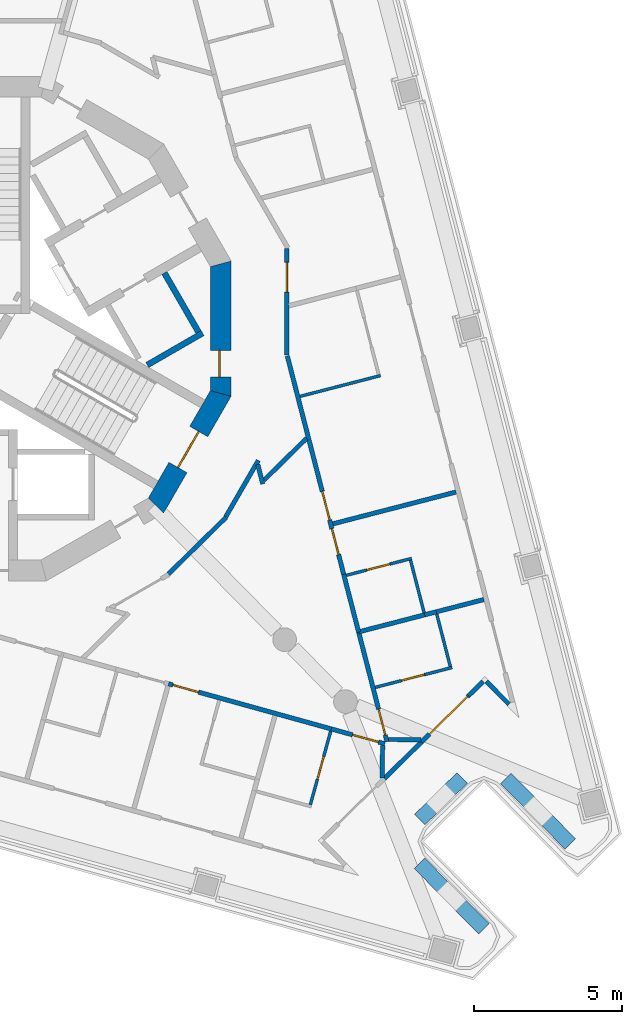
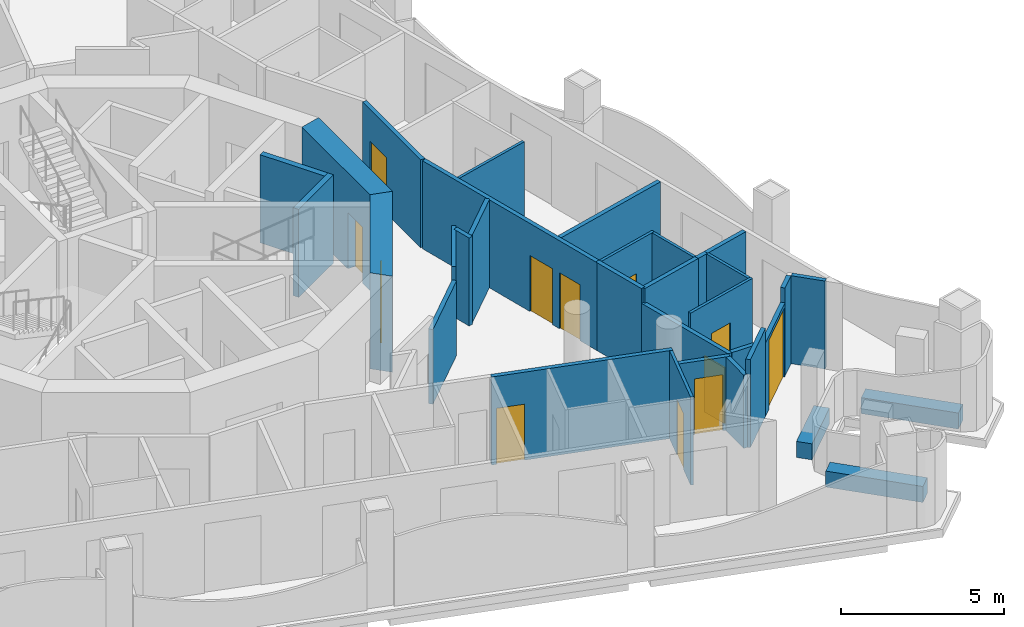
# One storey, part 6 of 14: 33 walls, 12 doors, 12 openings.
"""IFC4 building model written with IfcOpenShell, lengths in metres."""

from ifc_helpers import new_model, si_unit, direction, frame, frame_2d, origin, place, context, subcontext, project, spatial, polyline, rectangle, outline, extrude, material, layer, layer_set, type_object, element, fill, save


model = new_model("IFC4")

# Units and contexts
model_context = context("Model", 3, precision=1e-05, world=origin(), true_north=direction((0.0, 1.0)))
body_context = subcontext(model_context, "Body", "Model", "MODEL_VIEW")
ifc_project = project(units=[si_unit("LENGTHUNIT", "METRE"), si_unit("AREAUNIT", "SQUARE_METRE"), si_unit("VOLUMEUNIT", "CUBIC_METRE"), si_unit("PLANEANGLEUNIT", "RADIAN"), si_unit("MASSUNIT", "GRAM", prefix="KILO")], contexts=[model_context])

# Site, building, storey
site_placement = place(None, origin())
site = spatial("IfcSite", under=ifc_project, at=site_placement, CompositionType="ELEMENT")
building_placement = place(site_placement, origin())
building = spatial("IfcBuilding", under=site, at=building_placement, Name="Trine Commons Tower", CompositionType="ELEMENT")
storey_placement = place(building_placement, frame((0.0, 0.0, 252.89990234375)))
storey = spatial("IfcBuildingStorey", under=building, at=storey_placement, Name="L66", CompositionType="ELEMENT", Elevation=252.89990234375)

# Walls
ifc_material_1 = material(Name="Aluminium-framed insulated wall panel", Category="aluminium")
ifc_layer_1 = layer(ifc_material_1, 0.14990234375)
ifc_layer_set_1 = layer_set([ifc_layer_1], Name="Aluminium-framed insulated wall panel")
wall_type_1 = type_object("IfcWallType", Name="Glazed frame wall 150, EI 60", PredefinedType="SOLIDWALL", material=ifc_layer_set_1)
wall_1_placement = place(storey_placement, frame((97.966796875, 49.731201171875, 0.0), z_axis=(0.0, 0.0, 1.0), x_axis=(-0.700999978355, 0.71316129336, 0.0)))
element("IfcWall", 1, at=wall_1_placement, inside=storey, type_object=wall_type_1, Name="Glazed frame wall R6", PredefinedType="SOLIDWALL", context=body_context, shape_type="SweptSolid", body=[
    extrude(outline(polyline([(0.1494140625, 0.074951171875), (0.1494140625, -0.074951171875), (1.235107421875, -0.074951171875), (1.235107421875, 0.074951171875), (0.1494140625, 0.074951171875)])), origin(), (0.0, 0.0, 1.0), 3.300048828125),
])
wall_2_placement = place(storey_placement, frame((97.073486328125, 50.690185546875, 0.0), z_axis=(0.0, 0.0, 1.0), x_axis=(-0.713183853176, -0.700977026421, 0.0)))
element("IfcWall", 2, at=wall_2_placement, inside=storey, type_object=wall_type_1, Name="Glazed frame wall P2.1", PredefinedType="SOLIDWALL", context=body_context, shape_type="SweptSolid", body=[
    extrude(outline(polyline([(0.110107421875, -0.074951171875), (0.800048828125, -0.074951171875), (0.800048828125, 0.074951171875), (0.110107421875, 0.074951171875), (0.110107421875, -0.074951171875)])), origin(), (0.0, 0.0, 1.0), 3.300048828125),
])

# Wall, opening, door
wall_3_placement = place(storey_placement, frame((96.5029296875, 50.12939453125, 0.0), z_axis=(0.0, 0.0, 1.0), x_axis=(-0.713289197044, -0.70086983198, 0.0)))
wall_3 = element("IfcWall", 3, at=wall_3_placement, inside=storey, type_object=wall_type_1, Name="Glazed frame wall P2.2", PredefinedType="SOLIDWALL", context=body_context, shape_type="SweptSolid", body=[
    extrude(outline(polyline([(0.0, -0.074951171875), (2.221435546875, -0.074951171875), (2.221435546875, 0.074951171875), (0.0, 0.074951171875), (0.0, -0.074951171875)])), origin(), (0.0, 0.0, 1.0), 2.75),
])
opening_1_placement = place(wall_3_placement, frame((0.050048828125, 0.0, 0.0)))
opening_1 = element("IfcOpeningElement", 4, at=opening_1_placement, cuts=wall_3, Name="Opening BD-7P2-01", PredefinedType="OPENING", context=body_context, shape_type="SweptSolid", body=[
    extrude(rectangle(XDim=1.800048828125, YDim=2.60009765625, at=frame_2d((0.89990234375, 1.300048828125))), frame((0.0, 0.0849609375, 0.0), z_axis=(0.0, -1.0, 0.0), x_axis=(1.0, 0.0, 0.0)), (0.0, 0.0, 1.0), 0.169921875),
])
ifc_material_2 = material(Name="Anodised aluminium frame with double glazing", Category="aluminium")
door_type_1 = type_object("IfcDoorType", Name="Sliding loggia door 1800x2600", OperationType="SLIDING_TO_LEFT", PredefinedType="DOOR", material=ifc_material_2)
door_1_placement = place(opening_1_placement, origin())
door_1 = element("IfcDoor", 5, at=door_1_placement, inside=storey, type_object=door_type_1, Name="Loggia door P2 1", OperationType="SLIDING_TO_LEFT", OverallHeight=2.60009765625, OverallWidth=1.800048828125, PredefinedType="DOOR", context=body_context, shape_type="SweptSolid", body=[
    extrude(rectangle(XDim=1.800048828125, YDim=2.60009765625, at=frame_2d((0.89990234375, 1.300048828125))), frame((0.0, 0.02490234375, 0.0), z_axis=(0.0, -1.0, 0.0), x_axis=(1.0, 0.0, 0.0)), (0.0, 0.0, 1.0), 0.050048828125),
])
fill(opening_1, door_1)

# Walls
wall_4_placement = place(storey_placement, frame((94.91845703125, 48.572509765625, 0.0), z_axis=(0.0, 0.0, 1.0), x_axis=(-0.713193839807, -0.700966865737, 0.0)))
element("IfcWall", 6, at=wall_4_placement, inside=storey, type_object=wall_type_1, Name="Glazed frame wall P2.3", PredefinedType="SOLIDWALL", context=body_context, shape_type="SweptSolid", body=[
    extrude(outline(polyline([(0.0, -0.074951171875), (1.757080078125, -0.074951171875), (1.757080078125, 0.074951171875), (0.0, 0.074951171875), (0.0, -0.074951171875)])), origin(), (0.0, 0.0, 1.0), 3.300048828125),
])
ifc_material_3 = material(Name="Planter trough, precast concrete C40/50", Category="concrete")
ifc_layer_2 = layer(ifc_material_3, 0.5)
ifc_layer_set_2 = layer_set([ifc_layer_2], Name="Planter trough, precast concrete C40/50")
wall_type_2 = type_object("IfcWallType", Name="Planter trough 500x600", PredefinedType="PARAPET", material=ifc_layer_set_2)
wall_5_placement = place(storey_placement, frame((99.927734375, 45.1318359375, 0.0), z_axis=(0.0, 0.0, 1.0), x_axis=(-0.700897681372, 0.713261831481, 0.0)))
element("IfcWall", 7, at=wall_5_placement, inside=storey, type_object=wall_type_2, Name="Planter 7", PredefinedType="PARAPET", context=body_context, shape_type="SweptSolid", body=[
    extrude(rectangle(XDim=3.10009765625, YDim=0.5, at=frame_2d((1.550048828125, 0.0))), origin(), (0.0, 0.0, 1.0), 0.60009765625),
])
wall_6_placement = place(storey_placement, frame((96.2841796875, 47.355712890625, 0.0), z_axis=(0.0, 0.0, 1.0), x_axis=(-0.713305380591, -0.700853361282, 0.0)))
element("IfcWall", 8, at=wall_6_placement, inside=storey, type_object=wall_type_2, Name="Planter 8", PredefinedType="PARAPET", context=body_context, shape_type="SweptSolid", body=[
    extrude(rectangle(XDim=1.999755859375, YDim=0.5, at=frame_2d((1.0, 0.0))), origin(), (0.0, 0.0, 1.0), 0.60009765625),
])
wall_7_placement = place(storey_placement, frame((94.844970703125, 44.4833984375, 0.0), z_axis=(0.0, 0.0, 1.0), x_axis=(0.700857613291, -0.713301202784, 0.0)))
element("IfcWall", 9, at=wall_7_placement, inside=storey, type_object=wall_type_2, Name="Planter 9", PredefinedType="PARAPET", context=body_context, shape_type="SweptSolid", body=[
    extrude(rectangle(XDim=3.099853515625, YDim=0.5, at=frame_2d((1.5498046875, 0.0))), origin(), (0.0, 0.0, 1.0), 0.60009765625),
])

# Wall, opening, door
ifc_material_4 = material(Name="Concrete C50/60", Category="concrete")
ifc_layer_3 = layer(ifc_material_4, 0.699951171875)
ifc_layer_set_3 = layer_set([ifc_layer_3], Name="Concrete C50/60")
wall_type_3 = type_object("IfcWallType", Name="RC shear wall 700 mm, C50/60", PredefinedType="SHEAR", material=ifc_layer_set_3)
wall_8_placement = place(storey_placement, frame((88.150146484375, 60.222412109375, 0.0), z_axis=(0.0, 0.0, 1.0), x_axis=(0.0, 1.0, 0.0)))
wall_8 = element("IfcWall", 10, at=wall_8_placement, inside=storey, type_object=wall_type_3, Name="Core wall CWG-01 L66", PredefinedType="SHEAR", context=body_context, shape_type="SweptSolid", body=[
    extrude(outline(polyline([(0.0, -0.35009765625), (4.55517578125, -0.35009765625), (4.36767578125, 0.35009765625), (0.1875, 0.35009765625), (0.0, -0.35009765625)])), origin(), (0.0, 0.0, 1.0), 3.60009765625),
])
opening_2_placement = place(wall_8_placement, frame((0.6416015625, 0.0, 0.0)))
opening_2 = element("IfcOpeningElement", 11, at=opening_2_placement, cuts=wall_8, Name="Opening K16.17", PredefinedType="OPENING", context=body_context, shape_type="SweptSolid", body=[
    extrude(rectangle(XDim=0.89990234375, YDim=2.10009765625, at=frame_2d((0.449951171875, 1.050048828125))), frame((0.0, 0.35986328125, 0.0), z_axis=(0.0, -1.0, 0.0), x_axis=(1.0, 0.0, 0.0)), (0.0, 0.0, 1.0), 0.719970703125),
])
ifc_material_5 = material(Name="Steel door leaf, fire-rated", Category="steel")
door_type_2 = type_object("IfcDoorType", Name="Core room door, single leaf 900 x 2100, FD30S", OperationType="SINGLE_SWING_LEFT", PredefinedType="DOOR", material=ifc_material_5)
door_2_placement = place(opening_2_placement, origin())
door_2 = element("IfcDoor", 12, at=door_2_placement, inside=storey, type_object=door_type_2, Name="Door to Accessible WC L66", OperationType="SINGLE_SWING_LEFT", OverallHeight=2.10009765625, OverallWidth=0.89990234375, PredefinedType="DOOR", context=body_context, shape_type="SweptSolid", body=[
    extrude(rectangle(XDim=0.89990234375, YDim=2.10009765625, at=frame_2d((0.449951171875, 1.050048828125))), frame((0.0, 0.0751953125, 0.0), z_axis=(0.0, -1.0, 0.0), x_axis=(1.0, 0.0, 0.0)), (0.0, 0.0, 1.0), 0.050048828125),
])
fill(opening_2, door_2)

wall_9_placement = place(storey_placement, frame((85.91943359375, 56.452392578125, 0.0), z_axis=(0.0, 0.0, 1.0), x_axis=(0.499983800959, 0.866034756103, 0.0)))
wall_9 = element("IfcWall", 13, at=wall_9_placement, inside=storey, type_object=wall_type_3, Name="Core wall CWG-12 L66", PredefinedType="SHEAR", context=body_context, shape_type="SweptSolid", body=[
    extrude(outline(polyline([(0.0, -0.35009765625), (4.55517578125, -0.35009765625), (4.36767578125, 0.35009765625), (0.1875, 0.35009765625), (0.0, -0.35009765625)])), origin(), (0.0, 0.0, 1.0), 3.60009765625),
])
opening_3_placement = place(wall_9_placement, frame((1.577392578125, 0.0, 0.0)))
opening_3 = element("IfcOpeningElement", 14, at=opening_3_placement, cuts=wall_9, Name="Opening K16.03", PredefinedType="OPENING", context=body_context, shape_type="SweptSolid", body=[
    extrude(rectangle(XDim=1.39990234375, YDim=2.10009765625, at=frame_2d((0.699951171875, 1.050048828125))), frame((0.0, 0.35986328125, 0.0), z_axis=(0.0, -1.0, 0.0), x_axis=(1.0, 0.0, 0.0)), (0.0, 0.0, 1.0), 0.719970703125),
])
ifc_material_6 = material(Name="Steel door leaves, fire-rated", Category="steel")
door_type_3 = type_object("IfcDoorType", Name="Stair door, double leaf 1400 x 2100, FD90", OperationType="DOUBLE_DOOR_SINGLE_SWING", PredefinedType="DOOR", material=ifc_material_6)
door_3_placement = place(opening_3_placement, origin())
door_3 = element("IfcDoor", 15, at=door_3_placement, inside=storey, type_object=door_type_3, Name="Stair door to Exit stair ST3C L66", OperationType="DOUBLE_DOOR_SINGLE_SWING", OverallHeight=2.10009765625, OverallWidth=1.39990234375, PredefinedType="DOOR", context=body_context, shape_type="SweptSolid", body=[
    extrude(rectangle(XDim=1.39990234375, YDim=2.10009765625, at=frame_2d((0.699951171875, 1.050048828125))), frame((0.0, 0.02490234375, 0.0), z_axis=(0.0, -1.0, 0.0), x_axis=(1.0, 0.0, 0.0)), (0.0, 0.0, 1.0), 0.050048828125),
])
fill(opening_3, door_3)

# Walls
ifc_material_7 = material(Name="Fire-rated gypsum shaft wall system")
ifc_layer_4 = layer(ifc_material_7, 0.199951171875)
ifc_layer_set_4 = layer_set([ifc_layer_4], Name="Fire-rated gypsum shaft wall system")
wall_type_4 = type_object("IfcWallType", Name="Shaft wall 200 mm, EI 120", PredefinedType="PARTITIONING", material=ifc_layer_set_4)
wall_10_placement = place(storey_placement, frame((85.675048828125, 61.27392578125, 0.0), z_axis=(0.0, 0.0, 1.0), x_axis=(0.866102336459, 0.499866725018, 0.0)))
element("IfcWall", 16, at=wall_10_placement, inside=storey, type_object=wall_type_4, Name="Shaft wall L66", PredefinedType="PARTITIONING", context=body_context, shape_type="SweptSolid", body=[
    extrude(rectangle(XDim=2.1484375, YDim=0.199951171875, at=frame_2d((1.07421875, 0.0))), origin(), (0.0, 0.0, 1.0), 3.300048828125),
])
wall_11_placement = place(storey_placement, frame((86.2490234375, 64.3759765625, 0.0), z_axis=(0.0, 0.0, 1.0), x_axis=(0.500136062276, -0.86594683394, 0.0)))
element("IfcWall", 17, at=wall_11_placement, inside=storey, type_object=wall_type_4, Name="Shaft wall L66", PredefinedType="PARTITIONING", context=body_context, shape_type="SweptSolid", body=[
    extrude(rectangle(XDim=2.299072265625, YDim=0.199951171875, at=frame_2d((1.1494140625, 0.0))), origin(), (0.0, 0.0, 1.0), 3.300048828125),
])
ifc_material_8 = material(Name="Gypsum plasterboard on steel stud", Category="steel")
ifc_layer_5 = layer(ifc_material_8, 0.14990234375)
ifc_layer_set_5 = layer_set([ifc_layer_5], Name="Gypsum plasterboard on steel stud")
wall_type_5 = type_object("IfcWallType", Name="Unit and corridor wall 150 mm, EI 60", PredefinedType="PARTITIONING", material=ifc_layer_set_5)
wall_12_placement = place(storey_placement, frame((86.384521484375, 54.2275390625, 0.0), z_axis=(0.0, 0.0, 1.0), x_axis=(0.713113779806, 0.701048312922, 0.0)))
element("IfcWall", 18, at=wall_12_placement, inside=storey, type_object=wall_type_5, Name="Partition 070", PredefinedType="PARTITIONING", context=body_context, shape_type="SweptSolid", body=[
    extrude(rectangle(XDim=2.731689453125, YDim=0.14990234375, at=frame_2d((1.36572265625, 0.0))), origin(), (0.0, 0.0, 1.0), 2.800048828125),
])

# Wall, opening, door
wall_13_placement = place(storey_placement, frame((86.39111328125, 50.529052734375, 0.0), z_axis=(0.0, 0.0, 1.0), x_axis=(0.963638337946, -0.267209943005, 0.0)))
wall_13 = element("IfcWall", 19, at=wall_13_placement, inside=storey, type_object=wall_type_5, Name="Partition 071", PredefinedType="PARTITIONING", context=body_context, shape_type="SweptSolid", body=[
    extrude(rectangle(XDim=5.74609375, YDim=0.14990234375, at=frame_2d((2.873046875, 0.0))), origin(), (0.0, 0.0, 1.0), 3.300048828125),
])
opening_4_placement = place(wall_13_placement, frame((0.14990234375, 0.0, 0.0)))
opening_4 = element("IfcOpeningElement", 20, at=opening_4_placement, cuts=wall_13, Name="Opening D-7B17", PredefinedType="OPENING", context=body_context, shape_type="SweptSolid", body=[
    extrude(rectangle(XDim=0.89990234375, YDim=2.10009765625, at=frame_2d((0.449951171875, 1.050048828125))), frame((0.0, 0.0849609375, 0.0), z_axis=(0.0, -1.0, 0.0), x_axis=(1.0, 0.0, 0.0)), (0.0, 0.0, 1.0), 0.169921875),
])
ifc_material_9 = material(Name="Timber fire door set", Category="wood")
door_type_4 = type_object("IfcDoorType", Name="Bedroom door 900 x 2100, FD30S", OperationType="NOTDEFINED", PredefinedType="DOOR", material=ifc_material_9)
door_4_placement = place(opening_4_placement, frame((0.89990234375, 0.0, 0.0), z_axis=(0.0, 0.0, 1.0), x_axis=(-1.0, 0.0, 0.0)))
door_4 = element("IfcDoor", 21, at=door_4_placement, inside=storey, type_object=door_type_4, Name="Door D-7B17", OperationType="SINGLE_SWING_RIGHT", OverallHeight=2.10009765625, OverallWidth=0.89990234375, PredefinedType="DOOR", context=body_context, shape_type="SweptSolid", body=[
    extrude(rectangle(XDim=0.89990234375, YDim=2.10009765625, at=frame_2d((0.449951171875, 1.050048828125))), frame((0.0, 0.02490234375, 0.0), z_axis=(0.0, -1.0, 0.0), x_axis=(1.0, 0.0, 0.0)), (0.0, 0.0, 1.0), 0.050048828125),
])
fill(opening_4, door_4)

# Walls
wall_14_placement = place(storey_placement, frame((88.31640625, 56.15478515625, 0.0), z_axis=(0.0, 0.0, 1.0), x_axis=(0.500129524705, 0.865950609745, 0.0)))
element("IfcWall", 22, at=wall_14_placement, inside=storey, type_object=wall_type_5, Name="Partition 080", PredefinedType="PARTITIONING", context=body_context, shape_type="SweptSolid", body=[
    extrude(rectangle(XDim=2.19775390625, YDim=0.14990234375, at=frame_2d((1.098876953125, 0.0))), origin(), (0.0, 0.0, 1.0), 3.300048828125),
])
wall_15_placement = place(storey_placement, frame((89.396728515625, 57.92041015625, 0.0), z_axis=(0.0, 0.0, 1.0), x_axis=(0.249398389606, -0.968400972357, 0.0)))
element("IfcWall", 23, at=wall_15_placement, inside=storey, type_object=wall_type_5, Name="Partition 087", PredefinedType="PARTITIONING", context=body_context, shape_type="SweptSolid", body=[
    extrude(rectangle(XDim=0.677490234375, YDim=0.14990234375, at=frame_2d((0.3388671875, 0.0))), origin(), (0.0, 0.0, 1.0), 3.300048828125),
])
wall_16_placement = place(storey_placement, frame((89.60546875, 57.3896484375, 0.0), z_axis=(0.0, 0.0, 1.0), x_axis=(0.713082264155, 0.701080369535, 0.0)))
element("IfcWall", 24, at=wall_16_placement, inside=storey, type_object=wall_type_5, Name="Partition 092", PredefinedType="PARTITIONING", context=body_context, shape_type="SweptSolid", body=[
    extrude(rectangle(XDim=2.013916015625, YDim=0.14990234375, at=frame_2d((1.0068359375, 0.0))), origin(), (0.0, 0.0, 1.0), 3.300048828125),
])

# Wall, opening, door
wall_17_placement = place(storey_placement, frame((90.375, 61.616943359375, 0.0), z_axis=(0.0, 0.0, 1.0), x_axis=(0.0, 1.0, 0.0)))
wall_17 = element("IfcWall", 25, at=wall_17_placement, inside=storey, type_object=wall_type_5, Name="Partition 093", PredefinedType="PARTITIONING", context=body_context, shape_type="SweptSolid", body=[
    extrude(rectangle(XDim=3.588134765625, YDim=0.14990234375, at=frame_2d((1.7939453125, 0.0))), origin(), (0.0, 0.0, 1.0), 3.300048828125),
])
opening_5_placement = place(wall_17_placement, frame((2.110595703125, 0.0, 0.0)))
opening_5 = element("IfcOpeningElement", 26, at=opening_5_placement, cuts=wall_17, Name="Opening D-7B12", PredefinedType="OPENING", context=body_context, shape_type="SweptSolid", body=[
    extrude(rectangle(XDim=1.0, YDim=2.10009765625, at=frame_2d((0.5, 1.050048828125))), frame((0.0, 0.0849609375, 0.0), z_axis=(0.0, -1.0, 0.0), x_axis=(1.0, 0.0, 0.0)), (0.0, 0.0, 1.0), 0.169921875),
])
ifc_material_10 = material(Name="Painted timber", Category="wood")
door_type_5 = type_object("IfcDoorType", Name="Amenity room door 1000 x 2100, NOT RATED", OperationType="NOTDEFINED", PredefinedType="DOOR", material=ifc_material_10)
door_5_placement = place(opening_5_placement, frame((1.0, 0.0, 0.0), z_axis=(0.0, 0.0, 1.0), x_axis=(-1.0, 0.0, 0.0)))
door_5 = element("IfcDoor", 27, at=door_5_placement, inside=storey, type_object=door_type_5, Name="Door D-7B12", OperationType="SINGLE_SWING_LEFT", OverallHeight=2.10009765625, OverallWidth=1.0, PredefinedType="DOOR", context=body_context, shape_type="SweptSolid", body=[
    extrude(rectangle(XDim=1.0, YDim=2.10009765625, at=frame_2d((0.5, 1.050048828125))), frame((0.0, 0.02490234375, 0.0), z_axis=(0.0, -1.0, 0.0), x_axis=(1.0, 0.0, 0.0)), (0.0, 0.0, 1.0), 0.050048828125),
])
fill(opening_5, door_5)

# Wall, openings, doors
wall_18_placement = place(storey_placement, frame((90.39208984375, 61.576904296875, 0.0), z_axis=(0.0, 0.0, 1.0), x_axis=(0.250037106066, -0.968236255048, 0.0)))
wall_18 = element("IfcWall", 28, at=wall_18_placement, inside=storey, type_object=wall_type_5, Name="Partition 095", PredefinedType="PARTITIONING", context=body_context, shape_type="SweptSolid", body=[
    extrude(rectangle(XDim=7.657958984375, YDim=0.14990234375, at=frame_2d((3.8291015625, 0.0))), origin(), (0.0, 0.0, 1.0), 3.300048828125),
])
opening_6_placement = place(wall_18_placement, frame((4.7119140625, 0.0, 0.0)))
opening_6 = element("IfcOpeningElement", 29, at=opening_6_placement, cuts=wall_18, Name="Opening D-7B13", PredefinedType="OPENING", context=body_context, shape_type="SweptSolid", body=[
    extrude(rectangle(XDim=1.0, YDim=2.10009765625, at=frame_2d((0.5, 1.050048828125))), frame((0.0, 0.0849609375, 0.0), z_axis=(0.0, -1.0, 0.0), x_axis=(1.0, 0.0, 0.0)), (0.0, 0.0, 1.0), 0.169921875),
])
opening_7_placement = place(wall_18_placement, frame((6.011962890625, 0.0, 0.0)))
opening_7 = element("IfcOpeningElement", 30, at=opening_7_placement, cuts=wall_18, Name="Opening D-7B14", PredefinedType="OPENING", context=body_context, shape_type="SweptSolid", body=[
    extrude(rectangle(XDim=0.89990234375, YDim=2.10009765625, at=frame_2d((0.449951171875, 1.050048828125))), frame((0.0, 0.0849609375, 0.0), z_axis=(0.0, -1.0, 0.0), x_axis=(1.0, 0.0, 0.0)), (0.0, 0.0, 1.0), 0.169921875),
])
door_type_6 = type_object("IfcDoorType", Name="Bedroom door 1000 x 2100, FD30S", OperationType="NOTDEFINED", PredefinedType="DOOR", material=ifc_material_9)
door_6_placement = place(opening_6_placement, origin())
door_6 = element("IfcDoor", 31, at=door_6_placement, inside=storey, type_object=door_type_6, Name="Door D-7B13", OperationType="SINGLE_SWING_RIGHT", OverallHeight=2.10009765625, OverallWidth=1.0, PredefinedType="DOOR", context=body_context, shape_type="SweptSolid", body=[
    extrude(rectangle(XDim=1.0, YDim=2.10009765625, at=frame_2d((0.5, 1.050048828125))), frame((0.0, 0.02490234375, 0.0), z_axis=(0.0, -1.0, 0.0), x_axis=(1.0, 0.0, 0.0)), (0.0, 0.0, 1.0), 0.050048828125),
])
fill(opening_6, door_6)
door_7_placement = place(opening_7_placement, origin())
door_7 = element("IfcDoor", 32, at=door_7_placement, inside=storey, type_object=door_type_4, Name="Door D-7B14", OperationType="SINGLE_SWING_RIGHT", OverallHeight=2.10009765625, OverallWidth=0.89990234375, PredefinedType="DOOR", context=body_context, shape_type="SweptSolid", body=[
    extrude(rectangle(XDim=0.89990234375, YDim=2.10009765625, at=frame_2d((0.449951171875, 1.050048828125))), frame((0.0, 0.02490234375, 0.0), z_axis=(0.0, -1.0, 0.0), x_axis=(1.0, 0.0, 0.0)), (0.0, 0.0, 1.0), 0.050048828125),
])
fill(opening_7, door_7)

# Wall
wall_19_placement = place(storey_placement, frame((91.9296875, 55.919921875, 0.0), z_axis=(0.0, 0.0, 1.0), x_axis=(0.968143339783, 0.250396632634, 0.0)))
element("IfcWall", 33, at=wall_19_placement, inside=storey, type_object=wall_type_5, Name="Partition 100", PredefinedType="PARTITIONING", context=body_context, shape_type="SweptSolid", body=[
    extrude(rectangle(XDim=4.28515625, YDim=0.14990234375, at=frame_2d((2.142578125, 0.0))), origin(), (0.0, 0.0, 1.0), 3.300048828125),
])

# Wall, opening, door
wall_20_placement = place(storey_placement, frame((91.8720703125, 49.009033203125, 0.0), z_axis=(0.0, 0.0, 1.0), x_axis=(0.963678404511, -0.26706540899, 0.0)))
wall_20 = element("IfcWall", 34, at=wall_20_placement, inside=storey, type_object=wall_type_5, Name="Partition 101", PredefinedType="PARTITIONING", context=body_context, shape_type="SweptSolid", body=[
    extrude(rectangle(XDim=1.872314453125, YDim=0.14990234375, at=frame_2d((0.93603515625, 0.0))), origin(), (0.0, 0.0, 1.0), 2.75),
])
opening_8_placement = place(wall_20_placement, frame((0.747314453125, 0.0, 0.0)))
opening_8 = element("IfcOpeningElement", 35, at=opening_8_placement, cuts=wall_20, Name="Opening D-7B16", PredefinedType="OPENING", context=body_context, shape_type="SweptSolid", body=[
    extrude(rectangle(XDim=0.89990234375, YDim=2.10009765625, at=frame_2d((0.449951171875, 1.050048828125))), frame((0.0, 0.0849609375, 0.0), z_axis=(0.0, -1.0, 0.0), x_axis=(1.0, 0.0, 0.0)), (0.0, 0.0, 1.0), 0.169921875),
])
door_8_placement = place(opening_8_placement, frame((0.89990234375, 0.0, 0.0), z_axis=(0.0, 0.0, 1.0), x_axis=(-1.0, 0.0, 0.0)))
door_8 = element("IfcDoor", 36, at=door_8_placement, inside=storey, type_object=door_type_4, Name="Door D-7B16", OperationType="SINGLE_SWING_LEFT", OverallHeight=2.10009765625, OverallWidth=0.89990234375, PredefinedType="DOOR", context=body_context, shape_type="SweptSolid", body=[
    extrude(rectangle(XDim=0.89990234375, YDim=2.10009765625, at=frame_2d((0.449951171875, 1.050048828125))), frame((0.0, 0.02490234375, 0.0), z_axis=(0.0, -1.0, 0.0), x_axis=(1.0, 0.0, 0.0)), (0.0, 0.0, 1.0), 0.050048828125),
])
fill(opening_8, door_8)

# Wall
wall_21_placement = place(storey_placement, frame((92.29248046875, 54.218505859375, 0.0), z_axis=(0.0, 0.0, 1.0), x_axis=(0.250620480833, -0.968085416989, 0.0)))
element("IfcWall", 37, at=wall_21_placement, inside=storey, type_object=wall_type_5, Name="Partition 102", PredefinedType="PARTITIONING", context=body_context, shape_type="SweptSolid", body=[
    extrude(rectangle(XDim=2.0087890625, YDim=0.14990234375, at=frame_2d((1.00439453125, 0.0))), origin(), (0.0, 0.0, 1.0), 3.300048828125),
])

# Wall, opening, door
wall_22_placement = place(storey_placement, frame((92.7939453125, 52.281982421875, 0.0), z_axis=(0.0, 0.0, 1.0), x_axis=(0.250312632004, -0.968165061474, 0.0)))
wall_22 = element("IfcWall", 38, at=wall_22_placement, inside=storey, type_object=wall_type_5, Name="Partition 106", PredefinedType="PARTITIONING", context=body_context, shape_type="SweptSolid", body=[
    extrude(rectangle(XDim=3.822265625, YDim=0.14990234375, at=frame_2d((1.9111328125, 0.0))), origin(), (0.0, 0.0, 1.0), 2.75),
])
opening_9_placement = place(wall_22_placement, frame((2.697265625, 0.0, 0.0)))
opening_9 = element("IfcOpeningElement", 39, at=opening_9_placement, cuts=wall_22, Name="Opening D-7B15", PredefinedType="OPENING", context=body_context, shape_type="SweptSolid", body=[
    extrude(rectangle(XDim=0.89990234375, YDim=2.10009765625, at=frame_2d((0.449951171875, 1.050048828125))), frame((0.0, 0.0849609375, 0.0), z_axis=(0.0, -1.0, 0.0), x_axis=(1.0, 0.0, 0.0)), (0.0, 0.0, 1.0), 0.169921875),
])
door_9_placement = place(opening_9_placement, origin())
door_9 = element("IfcDoor", 40, at=door_9_placement, inside=storey, type_object=door_type_4, Name="Door D-7B15", OperationType="SINGLE_SWING_RIGHT", OverallHeight=2.10009765625, OverallWidth=0.89990234375, PredefinedType="DOOR", context=body_context, shape_type="SweptSolid", body=[
    extrude(rectangle(XDim=0.89990234375, YDim=2.10009765625, at=frame_2d((0.449951171875, 1.050048828125))), frame((0.0, 0.02490234375, 0.0), z_axis=(0.0, -1.0, 0.0), x_axis=(1.0, 0.0, 0.0)), (0.0, 0.0, 1.0), 0.050048828125),
])
fill(opening_9, door_9)

# Walls
wall_23_placement = place(storey_placement, frame((92.794921875, 52.278076171875, 0.0), z_axis=(0.0, 0.0, 1.0), x_axis=(0.968123831928, 0.250472046449, 0.0)))
element("IfcWall", 41, at=wall_23_placement, inside=storey, type_object=wall_type_5, Name="Partition 107", PredefinedType="PARTITIONING", context=body_context, shape_type="SweptSolid", body=[
    extrude(rectangle(XDim=2.29931640625, YDim=0.14990234375, at=frame_2d((1.149658203125, 0.0))), origin(), (0.0, 0.0, 1.0), 3.300048828125),
])
for number, where, z_axis, x_axis, name in (
    (42, (93.589599609375, 47.35595703125, 0.0), (0.0, 0.0, 1.0), (0.012226742726, 0.999925250587, 0.0), "Partition 109"),
    (43, (93.806884765625, 48.653564453125, 0.0), (0.0, 0.0, 1.0), (0.999983294214, -0.005780250256, 0.0), "Partition 110"),
):
    element("IfcWall", number, at=place(storey_placement, frame(where, z_axis=z_axis, x_axis=x_axis)), inside=storey, type_object=wall_type_5, Name=name, PredefinedType="PARTITIONING", context=body_context, shape_type="SweptSolid", body=[
        extrude(rectangle(XDim=1.09814453125, YDim=0.14990234375, at=frame_2d((0.549072265625, 0.0))), origin(), (0.0, 0.0, 1.0), 2.75),
    ])
wall_24_placement = place(storey_placement, frame((95.02099609375, 52.85400390625, 0.0), z_axis=(0.0, 0.0, 1.0), x_axis=(0.968343173742, 0.249622711039, 0.0)))
element("IfcWall", 44, at=wall_24_placement, inside=storey, type_object=wall_type_5, Name="Partition 112", PredefinedType="PARTITIONING", context=body_context, shape_type="SweptSolid", body=[
    extrude(rectangle(XDim=0.405029296875, YDim=0.14990234375, at=frame_2d((0.20263671875, 0.0))), origin(), (0.0, 0.0, 1.0), 3.300048828125),
])
wall_25_placement = place(storey_placement, frame((95.405029296875, 52.952880859375, 0.0), z_axis=(0.0, 0.0, 1.0), x_axis=(0.968213134731, 0.250126619403, 0.0)))
element("IfcWall", 45, at=wall_25_placement, inside=storey, type_object=wall_type_5, Name="Partition 113", PredefinedType="PARTITIONING", context=body_context, shape_type="SweptSolid", body=[
    extrude(rectangle(XDim=1.663330078125, YDim=0.14990234375, at=frame_2d((0.83154296875, 0.0))), origin(), (0.0, 0.0, 1.0), 3.300048828125),
])
ifc_layer_6 = layer(ifc_material_8, 0.10009765625)
ifc_layer_set_6 = layer_set([ifc_layer_6], Name="Gypsum plasterboard on steel stud")
wall_type_6 = type_object("IfcWallType", Name="Unit partition 100 mm, no rating", PredefinedType="PARTITIONING", material=ifc_layer_set_6)
wall_26_placement = place(storey_placement, frame((90.819580078125, 60.21484375, 0.0), z_axis=(0.0, 0.0, 1.0), x_axis=(0.96814254182, 0.25039971789, 0.0)))
element("IfcWall", 46, at=wall_26_placement, inside=storey, type_object=wall_type_6, Name="Partition 096", PredefinedType="PARTITIONING", context=body_context, shape_type="SweptSolid", body=[
    extrude(rectangle(XDim=2.80224609375, YDim=0.10009765625, at=frame_2d((1.401123046875, 0.0))), origin(), (0.0, 0.0, 1.0), 3.300048828125),
])

# Wall, opening, door
wall_27_placement = place(storey_placement, frame((91.16845703125, 46.4541015625, 0.0), z_axis=(0.0, 0.0, 1.0), x_axis=(0.266973908606, 0.96370375745, 0.0)))
wall_27 = element("IfcWall", 47, at=wall_27_placement, inside=storey, type_object=wall_type_6, Name="Partition 098", PredefinedType="PARTITIONING", context=body_context, shape_type="SweptSolid", body=[
    extrude(rectangle(XDim=2.5751953125, YDim=0.10009765625, at=frame_2d((1.28759765625, 0.0))), origin(), (0.0, 0.0, 1.0), 3.300048828125),
])
opening_10_placement = place(wall_27_placement, frame((0.8876953125, 0.0, 0.0)))
opening_10 = element("IfcOpeningElement", 48, at=opening_10_placement, cuts=wall_27, Name="Opening D-7B35", PredefinedType="OPENING", context=body_context, shape_type="SweptSolid", body=[
    extrude(rectangle(XDim=0.800048828125, YDim=2.10009765625, at=frame_2d((0.39990234375, 1.050048828125))), frame((0.0, 0.06005859375, 0.0), z_axis=(0.0, -1.0, 0.0), x_axis=(1.0, 0.0, 0.0)), (0.0, 0.0, 1.0), 0.1201171875),
])
door_type_7 = type_object("IfcDoorType", Name="Internal door 800 x 2100, NOT RATED", OperationType="NOTDEFINED", PredefinedType="DOOR", material=ifc_material_10)
door_10_placement = place(opening_10_placement, frame((0.800048828125, 0.0, 0.0), z_axis=(0.0, 0.0, 1.0), x_axis=(-1.0, 0.0, 0.0)))
door_10 = element("IfcDoor", 49, at=door_10_placement, inside=storey, type_object=door_type_7, Name="Door D-7B35", OperationType="SINGLE_SWING_LEFT", OverallHeight=2.10009765625, OverallWidth=0.800048828125, PredefinedType="DOOR", context=body_context, shape_type="SweptSolid", body=[
    extrude(rectangle(XDim=0.800048828125, YDim=2.10009765625, at=frame_2d((0.39990234375, 1.050048828125))), frame((0.0, 0.02490234375, 0.0), z_axis=(0.0, -1.0, 0.0), x_axis=(1.0, 0.0, 0.0)), (0.0, 0.0, 1.0), 0.050048828125),
])
fill(opening_10, door_10)

wall_28_placement = place(storey_placement, frame((92.378662109375, 54.184814453125, 0.0), z_axis=(0.0, 0.0, 1.0), x_axis=(0.968154087165, 0.250355074856, 0.0)))
wall_28 = element("IfcWall", 50, at=wall_28_placement, inside=storey, type_object=wall_type_6, Name="Partition 103", PredefinedType="PARTITIONING", context=body_context, shape_type="SweptSolid", body=[
    extrude(rectangle(XDim=2.275146484375, YDim=0.10009765625, at=frame_2d((1.1376953125, 0.0))), origin(), (0.0, 0.0, 1.0), 3.300048828125),
])
opening_11_placement = place(wall_28_placement, frame((0.712646484375, 0.0, 0.0)))
opening_11 = element("IfcOpeningElement", 51, at=opening_11_placement, cuts=wall_28, Name="Opening D-7B33", PredefinedType="OPENING", context=body_context, shape_type="SweptSolid", body=[
    extrude(rectangle(XDim=0.800048828125, YDim=2.10009765625, at=frame_2d((0.39990234375, 1.050048828125))), frame((0.0, 0.06005859375, 0.0), z_axis=(0.0, -1.0, 0.0), x_axis=(1.0, 0.0, 0.0)), (0.0, 0.0, 1.0), 0.1201171875),
])
door_11_placement = place(opening_11_placement, origin())
door_11 = element("IfcDoor", 52, at=door_11_placement, inside=storey, type_object=door_type_7, Name="Door D-7B33", OperationType="SINGLE_SWING_LEFT", OverallHeight=2.10009765625, OverallWidth=0.800048828125, PredefinedType="DOOR", context=body_context, shape_type="SweptSolid", body=[
    extrude(rectangle(XDim=0.800048828125, YDim=2.10009765625, at=frame_2d((0.39990234375, 1.050048828125))), frame((0.0, 0.02490234375, 0.0), z_axis=(0.0, -1.0, 0.0), x_axis=(1.0, 0.0, 0.0)), (0.0, 0.0, 1.0), 0.050048828125),
])
fill(opening_11, door_11)

wall_29_placement = place(storey_placement, frame((93.355712890625, 50.40869140625, 0.0), z_axis=(0.0, 0.0, 1.0), x_axis=(0.968128980119, 0.250452146832, 0.0)))
wall_29 = element("IfcWall", 53, at=wall_29_placement, inside=storey, type_object=wall_type_6, Name="Partition 108", PredefinedType="PARTITIONING", context=body_context, shape_type="SweptSolid", body=[
    extrude(rectangle(XDim=2.6748046875, YDim=0.10009765625, at=frame_2d((1.33740234375, 0.0))), origin(), (0.0, 0.0, 1.0), 3.300048828125),
])
opening_12_placement = place(wall_29_placement, frame((0.91259765625, 0.0, 0.0)))
opening_12 = element("IfcOpeningElement", 54, at=opening_12_placement, cuts=wall_29, Name="Opening D-7B34", PredefinedType="OPENING", context=body_context, shape_type="SweptSolid", body=[
    extrude(rectangle(XDim=0.800048828125, YDim=2.10009765625, at=frame_2d((0.39990234375, 1.050048828125))), frame((0.0, 0.06005859375, 0.0), z_axis=(0.0, -1.0, 0.0), x_axis=(1.0, 0.0, 0.0)), (0.0, 0.0, 1.0), 0.1201171875),
])
door_12_placement = place(opening_12_placement, frame((0.800048828125, 0.0, 0.0), z_axis=(0.0, 0.0, 1.0), x_axis=(-1.0, 0.0, 0.0)))
door_12 = element("IfcDoor", 55, at=door_12_placement, inside=storey, type_object=door_type_7, Name="Door D-7B34", OperationType="SINGLE_SWING_RIGHT", OverallHeight=2.10009765625, OverallWidth=0.800048828125, PredefinedType="DOOR", context=body_context, shape_type="SweptSolid", body=[
    extrude(rectangle(XDim=0.800048828125, YDim=2.10009765625, at=frame_2d((0.39990234375, 1.050048828125))), frame((0.0, 0.02490234375, 0.0), z_axis=(0.0, -1.0, 0.0), x_axis=(1.0, 0.0, 0.0)), (0.0, 0.0, 1.0), 0.050048828125),
])
fill(opening_12, door_12)

# Walls
wall_30_placement = place(storey_placement, frame((94.54541015625, 54.693603515625, 0.0), z_axis=(0.0, 0.0, 1.0), x_axis=(0.250270413218, -0.968175975878, 0.0)))
element("IfcWall", 56, at=wall_30_placement, inside=storey, type_object=wall_type_6, Name="Partition 111", PredefinedType="PARTITIONING", context=body_context, shape_type="SweptSolid", body=[
    extrude(rectangle(XDim=1.8251953125, YDim=0.10009765625, at=frame_2d((0.91259765625, 0.0))), origin(), (0.0, 0.0, 1.0), 3.300048828125),
])
wall_31_placement = place(storey_placement, frame((95.427734375, 52.88134765625, 0.0), z_axis=(0.0, 0.0, 1.0), x_axis=(0.250302828805, -0.968167595973, 0.0)))
element("IfcWall", 57, at=wall_31_placement, inside=storey, type_object=wall_type_6, Name="Partition 114", PredefinedType="PARTITIONING", context=body_context, shape_type="SweptSolid", body=[
    extrude(rectangle(XDim=1.824951171875, YDim=0.10009765625, at=frame_2d((0.91259765625, 0.0))), origin(), (0.0, 0.0, 1.0), 3.300048828125),
])

save(model, "model.ifc")
